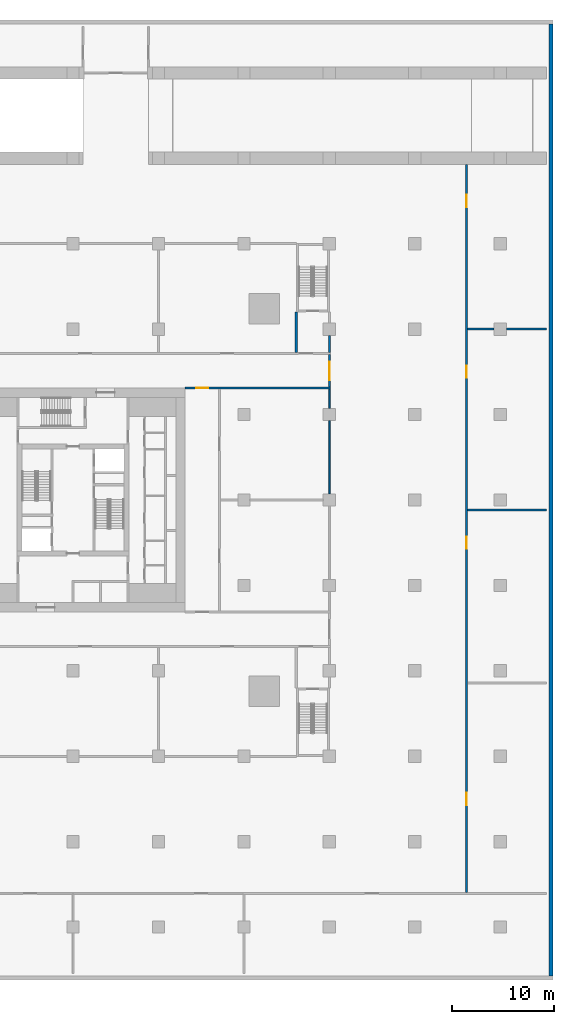
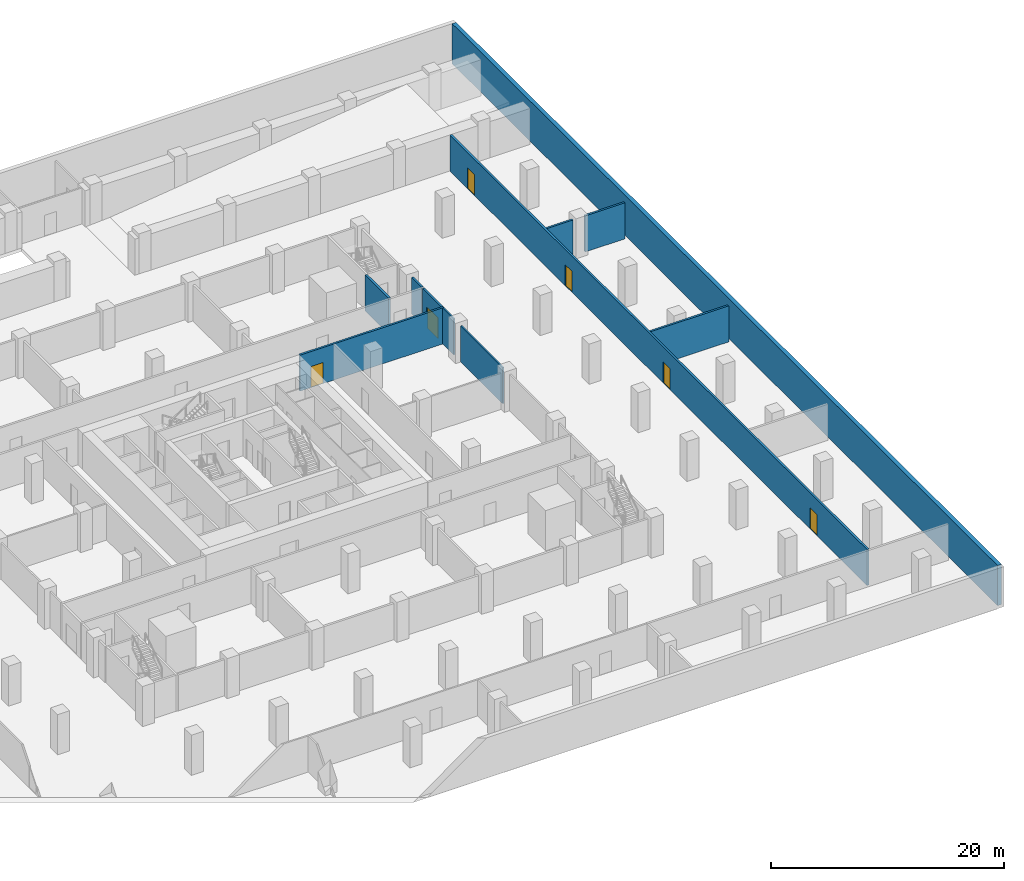
# One storey, part 8 of 16: 11 walls, 6 doors, 6 openings.
"""IFC4 building model written with IfcOpenShell, lengths in metres."""

from ifc_helpers import new_model, si_unit, direction, frame, frame_2d, origin, place, context, subcontext, project, spatial, rectangle, extrude, material, layer, layer_set, type_object, element, fill, save


model = new_model("IFC4")

# Units and contexts
model_context = context("Model", 3, precision=1e-05, world=origin(), true_north=direction((0.0, 1.0)))
body_context = subcontext(model_context, "Body", "Model", "MODEL_VIEW")
ifc_project = project(units=[si_unit("LENGTHUNIT", "METRE"), si_unit("AREAUNIT", "SQUARE_METRE"), si_unit("VOLUMEUNIT", "CUBIC_METRE"), si_unit("PLANEANGLEUNIT", "RADIAN"), si_unit("MASSUNIT", "GRAM", prefix="KILO")], contexts=[model_context])

# Site, building, storey
site_placement = place(None, origin())
site = spatial("IfcSite", under=ifc_project, at=site_placement, CompositionType="ELEMENT")
building_placement = place(site_placement, origin())
building = spatial("IfcBuilding", under=site, at=building_placement, Name="Khepri Terraces", CompositionType="ELEMENT")
storey_placement = place(building_placement, frame((0.0, 0.0, -4.199951171875)))
storey = spatial("IfcBuildingStorey", under=building, at=storey_placement, Name="B1", CompositionType="ELEMENT", Elevation=-4.199951171875)

# Walls
ifc_material_1 = material(Name="Concrete C60/75", Category="concrete")
ifc_layer_1 = layer(ifc_material_1, 0.39990234375, Name="Concrete C60/75", Category="concrete")
ifc_layer_set_1 = layer_set([ifc_layer_1], Name="Concrete C60/75")
wall_type_1 = type_object("IfcWallType", Name="Retaining wall RW1", PredefinedType="USERDEFINED", material=ifc_layer_set_1)
wall_1_placement = place(storey_placement, frame((47.0, -46.800048828125, 0.0), z_axis=(0.0, 0.0, 1.0), x_axis=(0.0, 1.0, 0.0)))
element("IfcWall", 1, at=wall_1_placement, inside=storey, type_object=wall_type_1, Name="Basement retaining wall E B1", ObjectType="RETAINING WALL", PredefinedType="USERDEFINED", context=body_context, shape_type="SweptSolid", body=[
    extrude(rectangle(XDim=93.60009765625, YDim=0.39990234375, at=frame_2d((46.800048828125, 0.0))), origin(), (0.0, 0.0, 1.0), 4.199951171875),
])
ifc_material_2 = material(Name="Gypsum board partition")
ifc_layer_2 = layer(ifc_material_2, 0.14990234375, Name="Gypsum board partition")
ifc_layer_set_2 = layer_set([ifc_layer_2], Name="Gypsum board partition")
wall_type_2 = type_object("IfcWallType", Name="WL-POD-150", PredefinedType="PARTITIONING", material=ifc_layer_set_2)
wall_2_placement = place(storey_placement, frame((25.199951171875, 0.60009765625, 0.0), z_axis=(0.0, 0.0, 1.0), x_axis=(0.0, 1.0, 0.0)))
element("IfcWall", 2, at=wall_2_placement, inside=storey, type_object=wall_type_2, Name="Partition B1-PW101", PredefinedType="PARTITIONING", context=body_context, shape_type="SweptSolid", body=[
    extrude(rectangle(XDim=7.199951171875, YDim=0.14990234375, at=frame_2d((3.60009765625, 0.0))), origin(), (0.0, 0.0, 1.0), 3.780029296875),
])
wall_3_placement = place(storey_placement, frame((25.199951171875, 9.0, 0.0), z_axis=(0.0, 0.0, 1.0), x_axis=(0.0, 1.0, 0.0)))
element("IfcWall", 3, at=wall_3_placement, inside=storey, type_object=wall_type_2, Name="Partition B1-PW102", PredefinedType="PARTITIONING", context=body_context, shape_type="SweptSolid", body=[
    extrude(rectangle(XDim=1.89990234375, YDim=0.14990234375, at=frame_2d((0.949951171875, 0.0))), origin(), (0.0, 0.0, 1.0), 3.780029296875),
])
ifc_material_3 = material(Name="Fire-rated block wall")
ifc_layer_3 = layer(ifc_material_3, 0.199951171875, Name="Fire-rated block wall")
ifc_layer_set_3 = layer_set([ifc_layer_3], Name="Fire-rated block wall")
wall_type_3 = type_object("IfcWallType", Name="WL-POD-200-EI120", PredefinedType="PARTITIONING", material=ifc_layer_set_3)
wall_4_placement = place(storey_placement, frame((38.800048828125, -1.0, 0.0), z_axis=(0.0, 0.0, 1.0), x_axis=(1.0, 0.0, 0.0)))
element("IfcWall", 4, at=wall_4_placement, inside=storey, type_object=wall_type_3, Name="Partition B1-PW014", PredefinedType="PARTITIONING", context=body_context, shape_type="SweptSolid", body=[
    extrude(rectangle(XDim=7.75, YDim=0.199951171875, at=frame_2d((3.875, 0.0))), origin(), (0.0, 0.0, 1.0), 3.780029296875),
])
wall_5_placement = place(storey_placement, frame((38.800048828125, 16.800048828125, 0.0), z_axis=(0.0, 0.0, 1.0), x_axis=(1.0, 0.0, 0.0)))
element("IfcWall", 5, at=wall_5_placement, inside=storey, type_object=wall_type_3, Name="Partition B1-PW026", PredefinedType="PARTITIONING", context=body_context, shape_type="SweptSolid", body=[
    extrude(rectangle(XDim=2.599853515625, YDim=0.199951171875, at=frame_2d((1.2998046875, 0.0))), origin(), (0.0, 0.0, 1.0), 3.780029296875),
])
wall_6_placement = place(storey_placement, frame((42.60009765625, 16.800048828125, 0.0), z_axis=(0.0, 0.0, 1.0), x_axis=(1.0, 0.0, 0.0)))
element("IfcWall", 6, at=wall_6_placement, inside=storey, type_object=wall_type_3, Name="Partition B1-PW027", PredefinedType="PARTITIONING", context=body_context, shape_type="SweptSolid", body=[
    extrude(rectangle(XDim=3.949951171875, YDim=0.199951171875, at=frame_2d((1.97509765625, 0.0))), origin(), (0.0, 0.0, 1.0), 3.780029296875),
])
wall_7_placement = place(storey_placement, frame((21.949951171875, 14.5, 0.0), z_axis=(0.0, 0.0, 1.0), x_axis=(0.0, 1.0, 0.0)))
element("IfcWall", 7, at=wall_7_placement, inside=storey, type_object=wall_type_3, Name="Partition B1-PW095", PredefinedType="PARTITIONING", context=body_context, shape_type="SweptSolid", body=[
    extrude(rectangle(XDim=4.0, YDim=0.199951171875, at=frame_2d((2.0, 0.0))), origin(), (0.0, 0.0, 1.0), 3.780029296875),
])
wall_8_placement = place(storey_placement, frame((25.199951171875, 14.5, 0.0), z_axis=(0.0, 0.0, 1.0), x_axis=(0.0, 1.0, 0.0)))
element("IfcWall", 8, at=wall_8_placement, inside=storey, type_object=wall_type_3, Name="Partition B1-PW104", PredefinedType="PARTITIONING", context=body_context, shape_type="SweptSolid", body=[
    extrude(rectangle(XDim=1.699951171875, YDim=0.199951171875, at=frame_2d((0.85009765625, 0.0))), origin(), (0.0, 0.0, 1.0), 3.780029296875),
])

# Wall, openings, doors
wall_9_placement = place(storey_placement, frame((38.699951171875, -38.60009765625, 0.0), z_axis=(0.0, 0.0, 1.0), x_axis=(0.0, 1.0, 0.0)))
wall_9 = element("IfcWall", 9, at=wall_9_placement, inside=storey, type_object=wall_type_3, Name="Partition B1-PW106", PredefinedType="PARTITIONING", context=body_context, shape_type="SweptSolid", body=[
    extrude(rectangle(XDim=71.60009765625, YDim=0.199951171875, at=frame_2d((35.800048828125, 0.0))), origin(), (0.0, 0.0, 1.0), 3.780029296875),
])
opening_1_placement = place(wall_9_placement, frame((8.60009765625, 0.0, 0.0)))
opening_1 = element("IfcOpeningElement", 10, at=opening_1_placement, cuts=wall_9, Name="Opening B1-P06", PredefinedType="OPENING", context=body_context, shape_type="SweptSolid", body=[
    extrude(rectangle(XDim=1.199951171875, YDim=2.199951171875, at=frame_2d((0.60009765625, 1.10009765625))), frame((0.0, 0.10986328125, 0.0), z_axis=(0.0, -1.0, 0.0), x_axis=(1.0, 0.0, 0.0)), (0.0, 0.0, 1.0), 0.219970703125),
])
opening_2_placement = place(wall_9_placement, frame((33.800048828125, 0.0, 0.0)))
opening_2 = element("IfcOpeningElement", 11, at=opening_2_placement, cuts=wall_9, Name="Opening B1-P19", PredefinedType="OPENING", context=body_context, shape_type="SweptSolid", body=[
    extrude(rectangle(XDim=1.199951171875, YDim=2.199951171875, at=frame_2d((0.60009765625, 1.10009765625))), frame((0.0, 0.10986328125, 0.0), z_axis=(0.0, -1.0, 0.0), x_axis=(1.0, 0.0, 0.0)), (0.0, 0.0, 1.0), 0.219970703125),
])
opening_3_placement = place(wall_9_placement, frame((50.60009765625, 0.0, 0.0)))
opening_3 = element("IfcOpeningElement", 12, at=opening_3_placement, cuts=wall_9, Name="Opening B1-P25", PredefinedType="OPENING", context=body_context, shape_type="SweptSolid", body=[
    extrude(rectangle(XDim=1.199951171875, YDim=2.199951171875, at=frame_2d((0.60009765625, 1.10009765625))), frame((0.0, 0.10986328125, 0.0), z_axis=(0.0, -1.0, 0.0), x_axis=(1.0, 0.0, 0.0)), (0.0, 0.0, 1.0), 0.219970703125),
])
opening_4_placement = place(wall_9_placement, frame((67.39990234375, 0.0, 0.0)))
opening_4 = element("IfcOpeningElement", 13, at=opening_4_placement, cuts=wall_9, Name="Opening B1-P34", PredefinedType="OPENING", context=body_context, shape_type="SweptSolid", body=[
    extrude(rectangle(XDim=1.199951171875, YDim=2.199951171875, at=frame_2d((0.60009765625, 1.10009765625))), frame((0.0, 0.10986328125, 0.0), z_axis=(0.0, -1.0, 0.0), x_axis=(1.0, 0.0, 0.0)), (0.0, 0.0, 1.0), 0.219970703125),
])
ifc_material_4 = material(Name="Painted steel", Category="steel")
door_type_1 = type_object("IfcDoorType", Name="DR-POD-PLANT-1200", OperationType="NOTDEFINED", PredefinedType="DOOR", material=ifc_material_4)
door_1_placement = place(opening_1_placement, origin())
door_1 = element("IfcDoor", 14, at=door_1_placement, inside=storey, type_object=door_type_1, Name="Plant room door B1-P06", OperationType="SINGLE_SWING_RIGHT", OverallHeight=2.199951171875, OverallWidth=1.199951171875, PredefinedType="DOOR", context=body_context, shape_type="SweptSolid", body=[
    extrude(rectangle(XDim=1.199951171875, YDim=2.199951171875, at=frame_2d((0.60009765625, 1.10009765625))), frame((0.0, 0.02490234375, 0.0), z_axis=(0.0, -1.0, 0.0), x_axis=(1.0, 0.0, 0.0)), (0.0, 0.0, 1.0), 0.050048828125),
])
fill(opening_1, door_1)
door_2_placement = place(opening_2_placement, origin())
door_2 = element("IfcDoor", 15, at=door_2_placement, inside=storey, type_object=door_type_1, Name="Plant room door B1-P19", OperationType="SINGLE_SWING_RIGHT", OverallHeight=2.199951171875, OverallWidth=1.199951171875, PredefinedType="DOOR", context=body_context, shape_type="SweptSolid", body=[
    extrude(rectangle(XDim=1.199951171875, YDim=2.199951171875, at=frame_2d((0.60009765625, 1.10009765625))), frame((0.0, 0.02490234375, 0.0), z_axis=(0.0, -1.0, 0.0), x_axis=(1.0, 0.0, 0.0)), (0.0, 0.0, 1.0), 0.050048828125),
])
fill(opening_2, door_2)
door_3_placement = place(opening_3_placement, origin())
door_3 = element("IfcDoor", 16, at=door_3_placement, inside=storey, type_object=door_type_1, Name="Plant room door B1-P25", OperationType="SINGLE_SWING_LEFT", OverallHeight=2.199951171875, OverallWidth=1.199951171875, PredefinedType="DOOR", context=body_context, shape_type="SweptSolid", body=[
    extrude(rectangle(XDim=1.199951171875, YDim=2.199951171875, at=frame_2d((0.60009765625, 1.10009765625))), frame((0.0, 0.02490234375, 0.0), z_axis=(0.0, -1.0, 0.0), x_axis=(1.0, 0.0, 0.0)), (0.0, 0.0, 1.0), 0.050048828125),
])
fill(opening_3, door_3)
door_4_placement = place(opening_4_placement, origin())
door_4 = element("IfcDoor", 17, at=door_4_placement, inside=storey, type_object=door_type_1, Name="Plant room door B1-P34", OperationType="SINGLE_SWING_LEFT", OverallHeight=2.199951171875, OverallWidth=1.199951171875, PredefinedType="DOOR", context=body_context, shape_type="SweptSolid", body=[
    extrude(rectangle(XDim=1.199951171875, YDim=2.199951171875, at=frame_2d((0.60009765625, 1.10009765625))), frame((0.0, 0.02490234375, 0.0), z_axis=(0.0, -1.0, 0.0), x_axis=(1.0, 0.0, 0.0)), (0.0, 0.0, 1.0), 0.050048828125),
])
fill(opening_4, door_4)

# Wall, opening, door
ifc_layer_4 = layer(ifc_material_3, 0.199951171875, Name="Fire-rated block wall")
ifc_layer_set_4 = layer_set([ifc_layer_4], Name="Fire-rated block wall")
wall_type_4 = type_object("IfcWallType", Name="WL-POD-200-EI60", PredefinedType="PARTITIONING", material=ifc_layer_set_4)
wall_10_placement = place(storey_placement, frame((11.0, 11.0, 0.0), z_axis=(0.0, 0.0, 1.0), x_axis=(1.0, 0.0, 0.0)))
wall_10 = element("IfcWall", 18, at=wall_10_placement, inside=storey, type_object=wall_type_4, Name="Partition B1-PW022", PredefinedType="PARTITIONING", context=body_context, shape_type="SweptSolid", body=[
    extrude(rectangle(XDim=14.300048828125, YDim=0.199951171875, at=frame_2d((7.14990234375, 0.0))), origin(), (0.0, 0.0, 1.0), 3.780029296875),
])
opening_5_placement = place(wall_10_placement, frame((1.10009765625, 0.0, 0.0)))
opening_5 = element("IfcOpeningElement", 19, at=opening_5_placement, cuts=wall_10, Name="Opening B1-P23", PredefinedType="OPENING", context=body_context, shape_type="SweptSolid", body=[
    extrude(rectangle(XDim=1.199951171875, YDim=2.199951171875, at=frame_2d((0.60009765625, 1.10009765625))), frame((0.0, 0.10986328125, 0.0), z_axis=(0.0, -1.0, 0.0), x_axis=(1.0, 0.0, 0.0)), (0.0, 0.0, 1.0), 0.219970703125),
])
door_type_2 = type_object("IfcDoorType", Name="DR-POD-FIRE-1200", OperationType="NOTDEFINED", PredefinedType="DOOR", material=ifc_material_4)
door_5_placement = place(opening_5_placement, origin())
door_5 = element("IfcDoor", 20, at=door_5_placement, inside=storey, type_object=door_type_2, Name="Fire door B1-P23", OperationType="SINGLE_SWING_LEFT", OverallHeight=2.199951171875, OverallWidth=1.199951171875, PredefinedType="DOOR", context=body_context, shape_type="SweptSolid", body=[
    extrude(rectangle(XDim=1.199951171875, YDim=2.199951171875, at=frame_2d((0.60009765625, 1.10009765625))), frame((0.0, 0.02490234375, 0.0), z_axis=(0.0, -1.0, 0.0), x_axis=(1.0, 0.0, 0.0)), (0.0, 0.0, 1.0), 0.050048828125),
])
fill(opening_5, door_5)

wall_11_placement = place(storey_placement, frame((25.199951171875, 11.10009765625, 0.0), z_axis=(0.0, 0.0, 1.0), x_axis=(0.0, 1.0, 0.0)))
wall_11 = element("IfcWall", 21, at=wall_11_placement, inside=storey, type_object=wall_type_4, Name="Partition B1-PW103", PredefinedType="PARTITIONING", context=body_context, shape_type="SweptSolid", body=[
    extrude(rectangle(XDim=3.199951171875, YDim=0.199951171875, at=frame_2d((1.60009765625, 0.0))), origin(), (0.0, 0.0, 1.0), 3.780029296875),
])
opening_6_placement = place(wall_11_placement, frame((0.699951171875, 0.0, 0.0)))
opening_6 = element("IfcOpeningElement", 22, at=opening_6_placement, cuts=wall_11, Name="Opening B1-P27", PredefinedType="OPENING", context=body_context, shape_type="SweptSolid", body=[
    extrude(rectangle(XDim=1.800048828125, YDim=2.199951171875, at=frame_2d((0.89990234375, 1.10009765625))), frame((0.0, 0.10986328125, 0.0), z_axis=(0.0, -1.0, 0.0), x_axis=(1.0, 0.0, 0.0)), (0.0, 0.0, 1.0), 0.219970703125),
])
door_type_3 = type_object("IfcDoorType", Name="DR-POD-FIRE-PAIR-1800", OperationType="DOUBLE_DOOR_SINGLE_SWING", PredefinedType="DOOR", material=ifc_material_4)
door_6_placement = place(opening_6_placement, origin())
door_6 = element("IfcDoor", 23, at=door_6_placement, inside=storey, type_object=door_type_3, Name="Fire door pair B1-P27", OperationType="DOUBLE_DOOR_SINGLE_SWING", OverallHeight=2.199951171875, OverallWidth=1.800048828125, PredefinedType="DOOR", context=body_context, shape_type="SweptSolid", body=[
    extrude(rectangle(XDim=1.800048828125, YDim=2.199951171875, at=frame_2d((0.89990234375, 1.10009765625))), frame((0.0, 0.02490234375, 0.0), z_axis=(0.0, -1.0, 0.0), x_axis=(1.0, 0.0, 0.0)), (0.0, 0.0, 1.0), 0.050048828125),
])
fill(opening_6, door_6)

save(model, "model.ifc")
